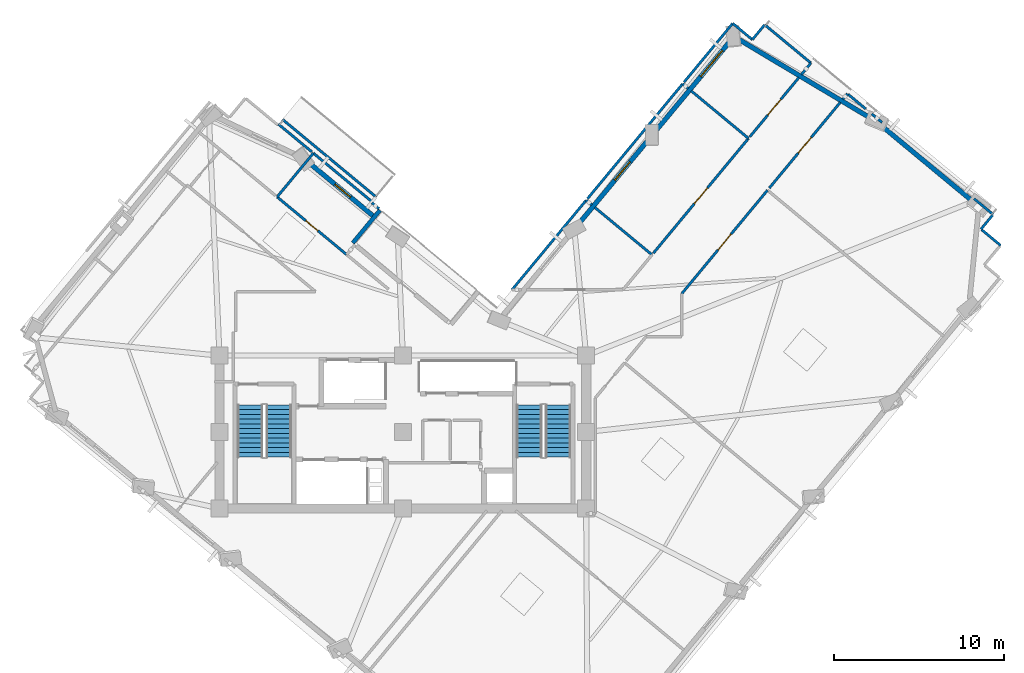
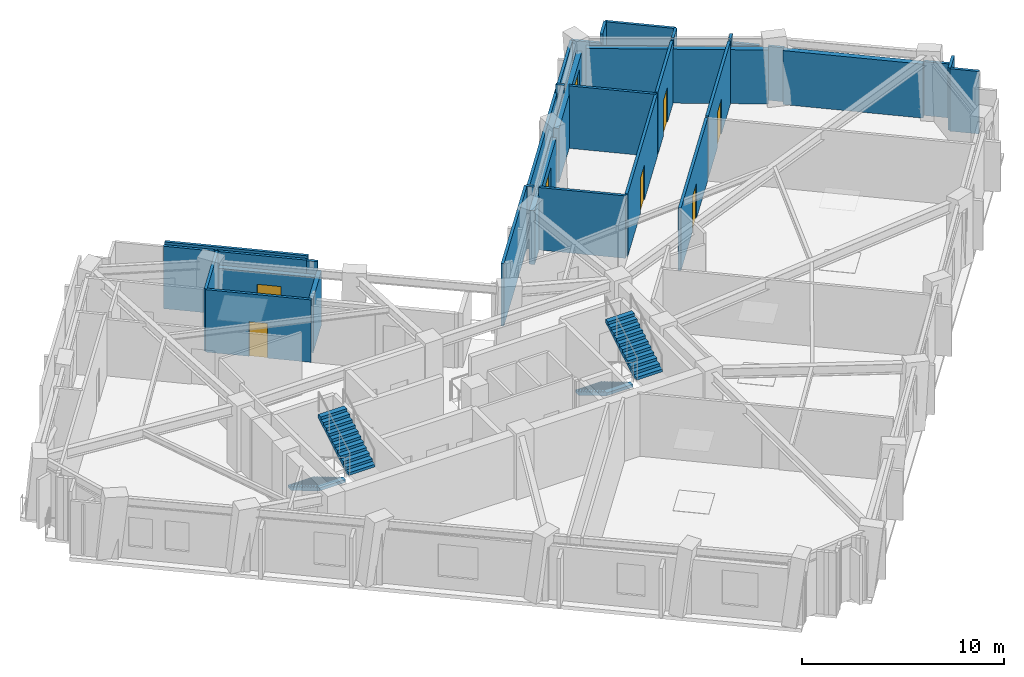
# One storey, part 7 of 10: 33 walls, 5 doors, 4 stair flights, 3 windows, 8 openings, 2 elements without a shape of their own.
"""IFC4 building model written with IfcOpenShell, lengths in metres."""

from ifc_helpers import new_model, si_unit, direction, frame, frame_2d, origin, place, context, subcontext, project, spatial, polyline, rectangle, outline, extrude, material, layer, layer_set, type_object, element, fill, aggregate, save


model = new_model("IFC4")

# Units and contexts
model_context = context("Model", 3, precision=1e-05, world=origin(), true_north=direction((0.0, 1.0)))
body_context = subcontext(model_context, "Body", "Model", "MODEL_VIEW")
ifc_project = project(units=[si_unit("LENGTHUNIT", "METRE"), si_unit("AREAUNIT", "SQUARE_METRE"), si_unit("VOLUMEUNIT", "CUBIC_METRE"), si_unit("PLANEANGLEUNIT", "RADIAN"), si_unit("MASSUNIT", "GRAM", prefix="KILO")], contexts=[model_context])

# Site, building, storey
site_placement = place(None, origin())
site = spatial("IfcSite", under=ifc_project, at=site_placement, CompositionType="ELEMENT")
building_placement = place(site_placement, origin())
building = spatial("IfcBuilding", under=site, at=building_placement, Name="Gaonmaruhae Medical Tower", CompositionType="ELEMENT")
storey_placement = place(building_placement, frame((0.0, 0.0, 239.199951171875)))
storey = spatial("IfcBuildingStorey", under=building, at=storey_placement, Name="L57", CompositionType="ELEMENT", Elevation=239.199951171875)

# Walls
ifc_material_1 = material(Name="Precast concrete C45/55", Category="concrete")
ifc_layer_1 = layer(ifc_material_1, 0.239990234375)
ifc_layer_set_1 = layer_set([ifc_layer_1], Name="Precast concrete C45/55")
wall_type_1 = type_object("IfcWallType", Name="EW-240 Ribbon & Shelter Insulated Precast Wall", PredefinedType="SOLIDWALL", material=ifc_layer_set_1)
wall_1_placement = place(storey_placement, frame((23.449951171875, 25.3671875, 0.0), z_axis=(0.0, 0.0, 1.0), x_axis=(-0.638107200467, -0.769947531142, 0.0)))
element("IfcWall", 1, at=wall_1_placement, inside=storey, type_object=wall_type_1, Name="L57 Recessed Terrace Enclosure Wall TERR", PredefinedType="SOLIDWALL", context=body_context, shape_type="SweptSolid", body=[
    extrude(rectangle(XDim=2.5, YDim=0.239990234375, at=frame_2d((1.25, 0.0))), origin(), (0.0, 0.0, 1.0), 3.26513671875),
])
ifc_layer_2 = layer(ifc_material_1, 0.280029296875)
ifc_layer_set_2 = layer_set([ifc_layer_2], Name="Precast concrete C45/55")
wall_type_2 = type_object("IfcWallType", Name="EW-280 Upper Precast Masonry-Frame Facade Wall", PredefinedType="SOLIDWALL", material=ifc_layer_set_2)
wall_2_placement = place(storey_placement, frame((52.923583984375, 30.410400390625, 0.0), z_axis=(0.0, 0.0, 1.0), x_axis=(0.769945199244, -0.638110014152, 0.0)))
element("IfcWall", 2, at=wall_2_placement, inside=storey, type_object=wall_type_2, Name="L57 Precast Masonry-Frame Wall E01-E02", PredefinedType="SOLIDWALL", context=body_context, shape_type="SweptSolid", body=[
    extrude(rectangle(XDim=7.04638671875, YDim=0.280029296875, at=frame_2d((3.523193359375, 0.0))), origin(), (0.0, 0.0, 1.0), 3.26513671875),
])
wall_3_placement = place(storey_placement, frame((44.54150390625, 35.462890625, 0.0), z_axis=(0.0, 0.0, 1.0), x_axis=(0.858430756312, -0.512929465539, 0.0)))
element("IfcWall", 3, at=wall_3_placement, inside=storey, type_object=wall_type_2, Name="L57 Precast Masonry-Frame Wall E02-E03", PredefinedType="SOLIDWALL", context=body_context, shape_type="SweptSolid", body=[
    extrude(rectangle(XDim=9.036376953125, YDim=0.280029296875, at=frame_2d((4.51806640625, 0.0))), origin(), (0.0, 0.0, 1.0), 3.26513671875),
])

# Wall, opening, window
wall_4_placement = place(storey_placement, frame((39.74609375, 30.1005859375, 0.0), z_axis=(0.0, 0.0, 1.0), x_axis=(0.638113633716, 0.769942199431, 0.0)))
wall_4 = element("IfcWall", 4, at=wall_4_placement, inside=storey, type_object=wall_type_2, Name="L57 Precast Masonry-Frame Wall E03-EN01", PredefinedType="SOLIDWALL", context=body_context, shape_type="SweptSolid", body=[
    extrude(rectangle(XDim=6.780029296875, YDim=0.280029296875, at=frame_2d((3.39013671875, 0.0))), origin(), (0.0, 0.0, 1.0), 3.26513671875),
])
opening_1_placement = place(wall_4_placement, frame((4.085693359375, 0.0, 0.75)))
opening_1 = element("IfcOpeningElement", 5, at=opening_1_placement, cuts=wall_4, Name="Opening WN-02", PredefinedType="OPENING", context=body_context, shape_type="SweptSolid", body=[
    extrude(rectangle(XDim=2.0, YDim=1.949951171875, at=frame_2d((1.0, 0.97509765625))), frame((0.0, 0.14990234375, 0.0), z_axis=(0.0, -1.0, 0.0), x_axis=(1.0, 0.0, 0.0)), (0.0, 0.0, 1.0), 0.300048828125),
])
ifc_material_2 = material(Name="Anodised aluminium and Low-E double glazing", Category="aluminium")
window_type_1 = type_object("IfcWindowType", Name="WN-02 Double-Bed Ward Punched Window 2000x1950", PartitioningType="SINGLE_PANEL", PredefinedType="WINDOW", material=ifc_material_2)
window_1_placement = place(opening_1_placement, origin())
window_1 = element("IfcWindow", 6, at=window_1_placement, inside=storey, type_object=window_type_1, Name="L57 Modular Facade Window E03", OverallHeight=1.949951171875, OverallWidth=2.0, PartitioningType="SINGLE_PANEL", PredefinedType="WINDOW", context=body_context, shape_type="SweptSolid", body=[
    extrude(rectangle(XDim=2.0, YDim=1.949951171875, at=frame_2d((1.0, 0.97509765625))), frame((0.0, 0.030029296875, 0.0), z_axis=(0.0, -1.0, 0.0), x_axis=(1.0, 0.0, 0.0)), (0.0, 0.0, 1.0), 0.06005859375),
])
fill(opening_1, window_1)

wall_5_placement = place(storey_placement, frame((35.155517578125, 24.561279296875, 0.0), z_axis=(0.0, 0.0, 1.0), x_axis=(0.63811013914, 0.769945095657, 0.0)))
wall_5 = element("IfcWall", 7, at=wall_5_placement, inside=storey, type_object=wall_type_2, Name="L57 Precast Masonry-Frame Wall EN01-EN02", PredefinedType="SOLIDWALL", context=body_context, shape_type="SweptSolid", body=[
    extrude(rectangle(XDim=6.409423828125, YDim=0.280029296875, at=frame_2d((3.20458984375, 0.0))), origin(), (0.0, 0.0, 1.0), 3.26513671875),
])
opening_2_placement = place(wall_5_placement, frame((3.347900390625, 0.0, 0.75)))
opening_2 = element("IfcOpeningElement", 8, at=opening_2_placement, cuts=wall_5, Name="Opening WN-03", PredefinedType="OPENING", context=body_context, shape_type="SweptSolid", body=[
    extrude(rectangle(XDim=1.39990234375, YDim=1.85009765625, at=frame_2d((0.699951171875, 0.925048828125))), frame((0.0, 0.14990234375, 0.0), z_axis=(0.0, -1.0, 0.0), x_axis=(1.0, 0.0, 0.0)), (0.0, 0.0, 1.0), 0.300048828125),
])
window_type_2 = type_object("IfcWindowType", Name="WN-03 Isolation Ward Punched Window 1400x1850", PartitioningType="SINGLE_PANEL", PredefinedType="WINDOW", material=ifc_material_2)
window_2_placement = place(opening_2_placement, origin())
window_2 = element("IfcWindow", 9, at=window_2_placement, inside=storey, type_object=window_type_2, Name="L57 Modular Facade Window EN01", OverallHeight=1.85009765625, OverallWidth=1.39990234375, PartitioningType="SINGLE_PANEL", PredefinedType="WINDOW", context=body_context, shape_type="SweptSolid", body=[
    extrude(rectangle(XDim=1.39990234375, YDim=1.85009765625, at=frame_2d((0.699951171875, 0.925048828125))), frame((0.0, 0.030029296875, 0.0), z_axis=(0.0, -1.0, 0.0), x_axis=(1.0, 0.0, 0.0)), (0.0, 0.0, 1.0), 0.06005859375),
])
fill(opening_2, window_2)

wall_6_placement = place(storey_placement, frame((19.28515625, 28.15625, 0.0), z_axis=(0.0, 0.0, 1.0), x_axis=(0.769971186405, -0.638078656677, 0.0)))
wall_6 = element("IfcWall", 10, at=wall_6_placement, inside=storey, type_object=wall_type_2, Name="L57 Precast Masonry-Frame Wall NE01-NE02", PredefinedType="SOLIDWALL", context=body_context, shape_type="SweptSolid", body=[
    extrude(rectangle(XDim=4.96630859375, YDim=0.280029296875, at=frame_2d((2.483154296875, 0.0))), origin(), (0.0, 0.0, 1.0), 3.2451171875),
])
opening_3_placement = place(wall_6_placement, frame((1.962646484375, 0.0, 0.75)))
opening_3 = element("IfcOpeningElement", 11, at=opening_3_placement, cuts=wall_6, Name="Opening WN-05", PredefinedType="OPENING", context=body_context, shape_type="SweptSolid", body=[
    extrude(rectangle(XDim=1.199951171875, YDim=1.75, at=frame_2d((0.60009765625, 0.875))), frame((0.0, 0.14990234375, 0.0), z_axis=(0.0, -1.0, 0.0), x_axis=(1.0, 0.0, 0.0)), (0.0, 0.0, 1.0), 0.300048828125),
])
window_type_3 = type_object("IfcWindowType", Name="WN-05 Support & Staff Punched Window 1200x1750", PartitioningType="SINGLE_PANEL", PredefinedType="WINDOW", material=ifc_material_2)
window_3_placement = place(opening_3_placement, origin())
window_3 = element("IfcWindow", 12, at=window_3_placement, inside=storey, type_object=window_type_3, Name="L57 Modular Facade Window NE01", OverallHeight=1.75, OverallWidth=1.199951171875, PartitioningType="SINGLE_PANEL", PredefinedType="WINDOW", context=body_context, shape_type="SweptSolid", body=[
    extrude(rectangle(XDim=1.199951171875, YDim=1.75, at=frame_2d((0.60009765625, 0.875))), frame((0.0, 0.030029296875, 0.0), z_axis=(0.0, -1.0, 0.0), x_axis=(1.0, 0.0, 0.0)), (0.0, 0.0, 1.0), 0.06005859375),
])
fill(opening_3, window_3)

# Wall, opening, door
ifc_material_3 = material(Name="Gypsum board partition", Category="gypsum")
ifc_layer_3 = layer(ifc_material_3, 0.14990234375)
ifc_layer_set_3 = layer_set([ifc_layer_3], Name="Gypsum board partition")
wall_type_3 = type_object("IfcWallType", Name="PW-150 Rated Clinical Corridor Partition", PredefinedType="PARTITIONING", material=ifc_layer_set_3)
wall_7_placement = place(storey_placement, frame((41.22998046875, 20.450927734375, 0.0), z_axis=(0.0, 0.0, 1.0), x_axis=(0.638108201762, 0.769946701301, 0.0)))
wall_7 = element("IfcWall", 13, at=wall_7_placement, inside=storey, type_object=wall_type_3, Name="L57 Interior Partition L57-SUP03-24", PredefinedType="PARTITIONING", context=body_context, shape_type="SweptSolid", body=[
    extrude(rectangle(XDim=7.920166015625, YDim=0.14990234375, at=frame_2d((3.9599609375, 0.0))), origin(), (0.0, 0.0, 1.0), 3.780029296875),
])
opening_4_placement = place(wall_7_placement, frame((3.360107421875, 0.0, 0.0)))
opening_4 = element("IfcOpeningElement", 14, at=opening_4_placement, cuts=wall_7, Name="Opening CD-02", PredefinedType="OPENING", context=body_context, shape_type="SweptSolid", body=[
    extrude(rectangle(XDim=1.199951171875, YDim=2.14990234375, at=frame_2d((0.60009765625, 1.074951171875))), frame((0.0, 0.0849609375, 0.0), z_axis=(0.0, -1.0, 0.0), x_axis=(1.0, 0.0, 0.0)), (0.0, 0.0, 1.0), 0.169921875),
])
ifc_material_4 = material(Name="Antimicrobial laminate timber fire door", Category="wood")
door_type_1 = type_object("IfcDoorType", Name="CD-02 Clinical Treatment & Procedure Door 1200x2150", OperationType="NOTDEFINED", PredefinedType="DOOR", material=ifc_material_4)
door_1_placement = place(opening_4_placement, origin())
door_1 = element("IfcDoor", 15, at=door_1_placement, inside=storey, type_object=door_type_1, Name="L57 Clinical Biomedical Charting Office Door", OperationType="SINGLE_SWING_LEFT", OverallHeight=2.14990234375, OverallWidth=1.199951171875, PredefinedType="DOOR", context=body_context, shape_type="SweptSolid", body=[
    extrude(rectangle(XDim=1.199951171875, YDim=2.14990234375, at=frame_2d((0.60009765625, 1.074951171875))), frame((0.0, 0.02490234375, 0.0), z_axis=(0.0, -1.0, 0.0), x_axis=(1.0, 0.0, 0.0)), (0.0, 0.0, 1.0), 0.050048828125),
])
fill(opening_4, door_1)

wall_8_placement = place(storey_placement, frame((46.385986328125, 26.672119140625, 0.0), z_axis=(0.0, 0.0, 1.0), x_axis=(0.638041184216, 0.770002238467, 0.0)))
wall_8 = element("IfcWall", 16, at=wall_8_placement, inside=storey, type_object=wall_type_3, Name="L57 Interior Partition L57-SUP04-31", PredefinedType="PARTITIONING", context=body_context, shape_type="SweptSolid", body=[
    extrude(rectangle(XDim=6.562255859375, YDim=0.14990234375, at=frame_2d((3.28125, 0.0))), origin(), (0.0, 0.0, 1.0), 3.780029296875),
])
opening_5_placement = place(wall_8_placement, frame((2.68115234375, 0.0, 0.0)))
opening_5 = element("IfcOpeningElement", 17, at=opening_5_placement, cuts=wall_8, Name="Opening CD-02", PredefinedType="OPENING", context=body_context, shape_type="SweptSolid", body=[
    extrude(rectangle(XDim=1.199951171875, YDim=2.14990234375, at=frame_2d((0.60009765625, 1.074951171875))), frame((0.0, 0.0849609375, 0.0), z_axis=(0.0, -1.0, 0.0), x_axis=(1.0, 0.0, 0.0)), (0.0, 0.0, 1.0), 0.169921875),
])
door_2_placement = place(opening_5_placement, origin())
door_2 = element("IfcDoor", 18, at=door_2_placement, inside=storey, type_object=door_type_1, Name="L57 Clinical Biomedical Charting Office Door", OperationType="SINGLE_SWING_LEFT", OverallHeight=2.14990234375, OverallWidth=1.199951171875, PredefinedType="DOOR", context=body_context, shape_type="SweptSolid", body=[
    extrude(rectangle(XDim=1.199951171875, YDim=2.14990234375, at=frame_2d((0.60009765625, 1.074951171875))), frame((0.0, 0.02490234375, 0.0), z_axis=(0.0, -1.0, 0.0), x_axis=(1.0, 0.0, 0.0)), (0.0, 0.0, 1.0), 0.050048828125),
])
fill(opening_5, door_2)

# Walls
wall_9_placement = place(storey_placement, frame((50.721923828125, 31.904052734375, 0.0), z_axis=(0.0, 0.0, 1.0), x_axis=(0.638202912534, 0.769868198092, 0.0)))
element("IfcWall", 19, at=wall_9_placement, inside=storey, type_object=wall_type_3, Name="L57 Interior Partition L57-SUP04-32", PredefinedType="PARTITIONING", context=body_context, shape_type="SweptSolid", body=[
    extrude(rectangle(XDim=0.424560546875, YDim=0.14990234375, at=frame_2d((0.21240234375, 0.0))), origin(), (0.0, 0.0, 1.0), 3.780029296875),
])
wall_10_placement = place(storey_placement, frame((51.031005859375, 32.198974609375, 0.0), z_axis=(0.0, 0.0, 1.0), x_axis=(0.770372960618, -0.637593523767, 0.0)))
element("IfcWall", 20, at=wall_10_placement, inside=storey, type_object=wall_type_3, Name="L57 Interior Partition L57-SUP04-33", PredefinedType="PARTITIONING", context=body_context, shape_type="SweptSolid", body=[
    extrude(rectangle(XDim=1.355224609375, YDim=0.14990234375, at=frame_2d((0.677734375, 0.0))), origin(), (0.0, 0.0, 1.0), 3.26513671875),
])
wall_11_placement = place(storey_placement, frame((52.427001953125, 31.04296875, 0.0), z_axis=(0.0, 0.0, 1.0), x_axis=(0.769594165674, -0.6385333352, 0.0)))
element("IfcWall", 21, at=wall_11_placement, inside=storey, type_object=wall_type_3, Name="L57 Interior Partition L57-SUP04-34", PredefinedType="PARTITIONING", context=body_context, shape_type="SweptSolid", body=[
    extrude(rectangle(XDim=0.7861328125, YDim=0.14990234375, at=frame_2d((0.39306640625, 0.0))), origin(), (0.0, 0.0, 1.0), 3.26513671875),
])
wall_12_placement = place(storey_placement, frame((58.45703125, 26.044921875, 0.0), z_axis=(0.0, 0.0, 1.0), x_axis=(0.769936808354, -0.638120138486, 0.0)))
element("IfcWall", 22, at=wall_12_placement, inside=storey, type_object=wall_type_3, Name="L57 Interior Partition L57-SUP04-35", PredefinedType="PARTITIONING", context=body_context, shape_type="SweptSolid", body=[
    extrude(rectangle(XDim=1.455810546875, YDim=0.14990234375, at=frame_2d((0.72802734375, 0.0))), origin(), (0.0, 0.0, 1.0), 3.26513671875),
])
wall_13_placement = place(storey_placement, frame((59.5458984375, 25.077880859375, 0.0), z_axis=(0.0, 0.0, 1.0), x_axis=(-0.638095158192, -0.769957511225, 0.0)))
element("IfcWall", 23, at=wall_13_placement, inside=storey, type_object=wall_type_3, Name="L57 Interior Partition L57-SUP04-36", PredefinedType="PARTITIONING", context=body_context, shape_type="SweptSolid", body=[
    extrude(rectangle(XDim=1.070068359375, YDim=0.14990234375, at=frame_2d((0.53515625, 0.0))), origin(), (0.0, 0.0, 1.0), 3.780029296875),
])
wall_14_placement = place(storey_placement, frame((58.902099609375, 24.221923828125, 0.0), z_axis=(0.0, 0.0, 1.0), x_axis=(0.769971904986, -0.638077789562, 0.0)))
element("IfcWall", 24, at=wall_14_placement, inside=storey, type_object=wall_type_3, Name="L57 Interior Partition L57-SUP04-37", PredefinedType="PARTITIONING", context=body_context, shape_type="SweptSolid", body=[
    extrude(rectangle(XDim=1.449462890625, YDim=0.14990234375, at=frame_2d((0.724609375, 0.0))), origin(), (0.0, 0.0, 1.0), 3.780029296875),
])
wall_15_placement = place(storey_placement, frame((35.59912109375, 25.958984375, 0.0), z_axis=(0.0, 0.0, 1.0), x_axis=(0.76941508452, -0.638749111712, 0.0)))
element("IfcWall", 25, at=wall_15_placement, inside=storey, type_object=wall_type_3, Name="L57 Interior Partition L57-IE01-55", PredefinedType="PARTITIONING", context=body_context, shape_type="SweptSolid", body=[
    extrude(rectangle(XDim=0.435302734375, YDim=0.14990234375, at=frame_2d((0.2177734375, 0.0))), origin(), (0.0, 0.0, 1.0), 3.780029296875),
])
wall_16_placement = place(storey_placement, frame((36.111083984375, 25.533935546875, 0.0), z_axis=(0.0, 0.0, 1.0), x_axis=(0.770061509293, -0.637969648107, 0.0)))
element("IfcWall", 26, at=wall_16_placement, inside=storey, type_object=wall_type_3, Name="L57 Interior Partition L57-IE01-56", PredefinedType="PARTITIONING", context=body_context, shape_type="SweptSolid", body=[
    extrude(rectangle(XDim=4.374755859375, YDim=0.14990234375, at=frame_2d((2.1875, 0.0))), origin(), (0.0, 0.0, 1.0), 3.780029296875),
])
wall_17_placement = place(storey_placement, frame((31.22509765625, 20.679931640625, 0.0), z_axis=(0.0, 0.0, 1.0), x_axis=(0.638013641706, 0.77002505998, 0.0)))
element("IfcWall", 27, at=wall_17_placement, inside=storey, type_object=wall_type_3, Name="L57 Interior Partition L57-IE01-60", PredefinedType="PARTITIONING", context=body_context, shape_type="SweptSolid", body=[
    extrude(rectangle(XDim=6.855712890625, YDim=0.14990234375, at=frame_2d((3.427734375, 0.0))), origin(), (0.0, 0.0, 1.0), 3.780029296875),
])

# Wall, opening, door
wall_18_placement = place(storey_placement, frame((45.1640625, 29.60205078125, 0.0), z_axis=(0.0, 0.0, 1.0), x_axis=(-0.638028689029, -0.770012592089, 0.0)))
wall_18 = element("IfcWall", 28, at=wall_18_placement, inside=storey, type_object=wall_type_3, Name="L57 Interior Partition L57-IE02-61", PredefinedType="PARTITIONING", context=body_context, shape_type="SweptSolid", body=[
    extrude(rectangle(XDim=8.788330078125, YDim=0.14990234375, at=frame_2d((4.39404296875, 0.0))), origin(), (0.0, 0.0, 1.0), 3.780029296875),
])
opening_6_placement = place(wall_18_placement, frame((3.794189453125, 0.0, 0.0)))
opening_6 = element("IfcOpeningElement", 29, at=opening_6_placement, cuts=wall_18, Name="Opening CD-02", PredefinedType="OPENING", context=body_context, shape_type="SweptSolid", body=[
    extrude(rectangle(XDim=1.199951171875, YDim=2.14990234375, at=frame_2d((0.60009765625, 1.074951171875))), frame((0.0, 0.0849609375, 0.0), z_axis=(0.0, -1.0, 0.0), x_axis=(1.0, 0.0, 0.0)), (0.0, 0.0, 1.0), 0.169921875),
])
door_3_placement = place(opening_6_placement, origin())
door_3 = element("IfcDoor", 30, at=door_3_placement, inside=storey, type_object=door_type_1, Name="L57 Acute Treatment Examination Room Door", OperationType="SINGLE_SWING_RIGHT", OverallHeight=2.14990234375, OverallWidth=1.199951171875, PredefinedType="DOOR", context=body_context, shape_type="SweptSolid", body=[
    extrude(rectangle(XDim=1.199951171875, YDim=2.14990234375, at=frame_2d((0.60009765625, 1.074951171875))), frame((0.0, 0.02490234375, 0.0), z_axis=(0.0, -1.0, 0.0), x_axis=(1.0, 0.0, 0.0)), (0.0, 0.0, 1.0), 0.050048828125),
])
fill(opening_6, door_3)

# Walls
wall_19_placement = place(storey_placement, frame((35.676025390625, 26.051025390625, 0.0), z_axis=(0.0, 0.0, 1.0), x_axis=(0.638078099411, 0.769971648213, 0.0)))
element("IfcWall", 31, at=wall_19_placement, inside=storey, type_object=wall_type_3, Name="L57 Interior Partition L57-IE02-62", PredefinedType="PARTITIONING", context=body_context, shape_type="SweptSolid", body=[
    extrude(rectangle(XDim=8.788818359375, YDim=0.14990234375, at=frame_2d((4.39453125, 0.0))), origin(), (0.0, 0.0, 1.0), 3.26513671875),
])
wall_20_placement = place(storey_placement, frame((41.283935546875, 32.818115234375, 0.0), z_axis=(0.0, 0.0, 1.0), x_axis=(0.76941508452, -0.638749111712, 0.0)))
element("IfcWall", 32, at=wall_20_placement, inside=storey, type_object=wall_type_3, Name="L57 Interior Partition L57-IE02-63", PredefinedType="PARTITIONING", context=body_context, shape_type="SweptSolid", body=[
    extrude(rectangle(XDim=0.435302734375, YDim=0.14990234375, at=frame_2d((0.2177734375, 0.0))), origin(), (0.0, 0.0, 1.0), 3.780029296875),
])
wall_21_placement = place(storey_placement, frame((41.7958984375, 32.39404296875, 0.0), z_axis=(0.0, 0.0, 1.0), x_axis=(0.769883678484, -0.638184237978, 0.0)))
element("IfcWall", 33, at=wall_21_placement, inside=storey, type_object=wall_type_3, Name="L57 Interior Partition L57-IE02-64", PredefinedType="PARTITIONING", context=body_context, shape_type="SweptSolid", body=[
    extrude(rectangle(XDim=4.375, YDim=0.14990234375, at=frame_2d((2.1875, 0.0))), origin(), (0.0, 0.0, 1.0), 3.780029296875),
])
wall_22_placement = place(storey_placement, frame((45.388916015625, 35.4208984375, 0.0), z_axis=(0.0, 0.0, 1.0), x_axis=(0.638137652761, 0.769922292267, 0.0)))
element("IfcWall", 34, at=wall_22_placement, inside=storey, type_object=wall_type_3, Name="L57 Interior Partition L57-IE03-65", PredefinedType="PARTITIONING", context=body_context, shape_type="SweptSolid", body=[
    extrude(rectangle(XDim=1.139404296875, YDim=0.14990234375, at=frame_2d((0.56982421875, 0.0))), origin(), (0.0, 0.0, 1.0), 3.780029296875),
])
wall_23_placement = place(storey_placement, frame((46.115966796875, 36.298095703125, 0.0), z_axis=(0.0, 0.0, 1.0), x_axis=(0.770117395611, -0.63790218449, 0.0)))
element("IfcWall", 35, at=wall_23_placement, inside=storey, type_object=wall_type_3, Name="L57 Interior Partition L57-IE03-66", PredefinedType="PARTITIONING", context=body_context, shape_type="SweptSolid", body=[
    extrude(rectangle(XDim=3.539794921875, YDim=0.14990234375, at=frame_2d((1.77001953125, 0.0))), origin(), (0.0, 0.0, 1.0), 3.780029296875),
])
wall_24_placement = place(storey_placement, frame((48.842041015625, 34.0400390625, 0.0), z_axis=(0.0, 0.0, 1.0), x_axis=(-0.638079014013, -0.769970890278, 0.0)))
element("IfcWall", 36, at=wall_24_placement, inside=storey, type_object=wall_type_3, Name="L57 Interior Partition L57-IE03-67", PredefinedType="PARTITIONING", context=body_context, shape_type="SweptSolid", body=[
    extrude(rectangle(XDim=0.879150390625, YDim=0.14990234375, at=frame_2d((0.439453125, 0.0))), origin(), (0.0, 0.0, 1.0), 3.780029296875),
])

# Wall, opening, door
wall_25_placement = place(storey_placement, frame((48.132080078125, 33.18310546875, 0.0), z_axis=(0.0, 0.0, 1.0), x_axis=(-0.638046160412, -0.769998115052, 0.0)))
wall_25 = element("IfcWall", 37, at=wall_25_placement, inside=storey, type_object=wall_type_3, Name="L57 Interior Partition L57-IE03-68", PredefinedType="PARTITIONING", context=body_context, shape_type="SweptSolid", body=[
    extrude(rectangle(XDim=4.53125, YDim=0.14990234375, at=frame_2d((2.265625, 0.0))), origin(), (0.0, 0.0, 1.0), 3.780029296875),
])
opening_7_placement = place(wall_25_placement, frame((1.66552734375, 0.0, 0.0)))
opening_7 = element("IfcOpeningElement", 38, at=opening_7_placement, cuts=wall_25, Name="Opening CD-02", PredefinedType="OPENING", context=body_context, shape_type="SweptSolid", body=[
    extrude(rectangle(XDim=1.199951171875, YDim=2.14990234375, at=frame_2d((0.60009765625, 1.074951171875))), frame((0.0, 0.0849609375, 0.0), z_axis=(0.0, -1.0, 0.0), x_axis=(1.0, 0.0, 0.0)), (0.0, 0.0, 1.0), 0.169921875),
])
door_4_placement = place(opening_7_placement, origin())
door_4 = element("IfcDoor", 39, at=door_4_placement, inside=storey, type_object=door_type_1, Name="L57 Clean Medication Preparation Room Door", OperationType="SINGLE_SWING_RIGHT", OverallHeight=2.14990234375, OverallWidth=1.199951171875, PredefinedType="DOOR", context=body_context, shape_type="SweptSolid", body=[
    extrude(rectangle(XDim=1.199951171875, YDim=2.14990234375, at=frame_2d((0.60009765625, 1.074951171875))), frame((0.0, 0.02490234375, 0.0), z_axis=(0.0, -1.0, 0.0), x_axis=(1.0, 0.0, 0.0)), (0.0, 0.0, 1.0), 0.050048828125),
])
fill(opening_7, door_4)

# Walls
wall_26_placement = place(storey_placement, frame((41.360107421875, 32.909912109375, 0.0), z_axis=(0.0, 0.0, 1.0), x_axis=(0.638054595823, 0.76999112511, 0.0)))
element("IfcWall", 40, at=wall_26_placement, inside=storey, type_object=wall_type_3, Name="L57 Interior Partition L57-IE03-69", PredefinedType="PARTITIONING", context=body_context, shape_type="SweptSolid", body=[
    extrude(rectangle(XDim=4.50390625, YDim=0.14990234375, at=frame_2d((2.251953125, 0.0))), origin(), (0.0, 0.0, 1.0), 3.26513671875),
])
wall_27_placement = place(storey_placement, frame((44.23388671875, 36.3779296875, 0.0), z_axis=(0.0, 0.0, 1.0), x_axis=(0.770019276268, -0.638020622061, 0.0)))
element("IfcWall", 41, at=wall_27_placement, inside=storey, type_object=wall_type_3, Name="L57 Interior Partition L57-IE03-70", PredefinedType="PARTITIONING", context=body_context, shape_type="SweptSolid", body=[
    extrude(rectangle(XDim=1.5, YDim=0.14990234375, at=frame_2d((0.75, 0.0))), origin(), (0.0, 0.0, 1.0), 3.26513671875),
])
wall_28_placement = place(storey_placement, frame((17.39404296875, 26.152099609375, 0.0), z_axis=(0.0, 0.0, 1.0), x_axis=(0.638225268777, 0.769849664736, 0.0)))
element("IfcWall", 42, at=wall_28_placement, inside=storey, type_object=wall_type_3, Name="L57 Interior Partition L57-IN02-71", PredefinedType="PARTITIONING", context=body_context, shape_type="SweptSolid", body=[
    extrude(rectangle(XDim=3.349853515625, YDim=0.14990234375, at=frame_2d((1.6748046875, 0.0))), origin(), (0.0, 0.0, 1.0), 3.780029296875),
])
wall_29_placement = place(storey_placement, frame((19.531982421875, 28.73095703125, 0.0), z_axis=(0.0, 0.0, 1.0), x_axis=(0.770005650355, -0.638037066651, 0.0)))
element("IfcWall", 43, at=wall_29_placement, inside=storey, type_object=wall_type_3, Name="L57 Interior Partition L57-IN02-72", PredefinedType="PARTITIONING", context=body_context, shape_type="SweptSolid", body=[
    extrude(rectangle(XDim=4.523193359375, YDim=0.14990234375, at=frame_2d((2.26171875, 0.0))), origin(), (0.0, 0.0, 1.0), 3.780029296875),
])
wall_30_placement = place(storey_placement, frame((22.98291015625, 25.805908203125, 0.0), z_axis=(0.0, 0.0, 1.0), x_axis=(0.769990590964, -0.63805524042, 0.0)))
element("IfcWall", 44, at=wall_30_placement, inside=storey, type_object=wall_type_3, Name="L57 Interior Partition L57-IN02-73", PredefinedType="PARTITIONING", context=body_context, shape_type="SweptSolid", body=[
    extrude(rectangle(XDim=0.55322265625, YDim=0.14990234375, at=frame_2d((0.276611328125, 0.0))), origin(), (0.0, 0.0, 1.0), 3.780029296875),
])

# Wall, opening, door
wall_31_placement = place(storey_placement, frame((21.492919921875, 22.7548828125, 0.0), z_axis=(0.0, 0.0, 1.0), x_axis=(-0.769928857857, 0.638129731198, 0.0)))
wall_31 = element("IfcWall", 45, at=wall_31_placement, inside=storey, type_object=wall_type_3, Name="L57 Interior Partition L57-IN02-75", PredefinedType="PARTITIONING", context=body_context, shape_type="SweptSolid", body=[
    extrude(rectangle(XDim=5.32373046875, YDim=0.14990234375, at=frame_2d((2.661865234375, 0.0))), origin(), (0.0, 0.0, 1.0), 3.780029296875),
])
opening_8_placement = place(wall_31_placement, frame((2.201904296875, 0.0, 0.0)))
opening_8 = element("IfcOpeningElement", 46, at=opening_8_placement, cuts=wall_31, Name="Opening UD-01", PredefinedType="OPENING", context=body_context, shape_type="SweptSolid", body=[
    extrude(rectangle(XDim=0.919921875, YDim=2.10009765625, at=frame_2d((0.4599609375, 1.050048828125))), frame((0.0, 0.0849609375, 0.0), z_axis=(0.0, -1.0, 0.0), x_axis=(1.0, 0.0, 0.0)), (0.0, 0.0, 1.0), 0.169921875),
])
ifc_material_5 = material(Name="Powder-coated steel utility door", Category="steel")
door_type_2 = type_object("IfcDoorType", Name="UD-01 Toilet, Utility & Housekeeping Door 920x2100", OperationType="NOTDEFINED", PredefinedType="DOOR", material=ifc_material_5)
door_5_placement = place(opening_8_placement, origin())
door_5 = element("IfcDoor", 47, at=door_5_placement, inside=storey, type_object=door_type_2, Name="L57 Ward Nutrition Pantry Door", OperationType="SINGLE_SWING_LEFT", OverallHeight=2.10009765625, OverallWidth=0.919921875, PredefinedType="DOOR", context=body_context, shape_type="SweptSolid", body=[
    extrude(rectangle(XDim=0.919921875, YDim=2.10009765625, at=frame_2d((0.4599609375, 1.050048828125))), frame((0.0, 0.02490234375, 0.0), z_axis=(0.0, -1.0, 0.0), x_axis=(1.0, 0.0, 0.0)), (0.0, 0.0, 1.0), 0.050048828125),
])
fill(opening_8, door_5)

# Walls
wall_32_placement = place(storey_placement, frame((17.470947265625, 30.43896484375, 0.0), z_axis=(0.0, 0.0, 1.0), x_axis=(0.770135481585, -0.637880349285, 0.0)))
element("IfcWall", 48, at=wall_32_placement, inside=storey, type_object=wall_type_3, Name="L57 Interior Partition L57-IN03-81", PredefinedType="PARTITIONING", context=body_context, shape_type="SweptSolid", body=[
    extrude(rectangle(XDim=2.556640625, YDim=0.14990234375, at=frame_2d((1.2783203125, 0.0))), origin(), (0.0, 0.0, 1.0), 3.780029296875),
])
wall_33_placement = place(storey_placement, frame((17.70703125, 30.72412109375, 0.0), z_axis=(0.0, 0.0, 1.0), x_axis=(0.769974915314, -0.638074156966, 0.0)))
element("IfcWall", 49, at=wall_33_placement, inside=storey, type_object=wall_type_3, Name="L57 Interior Partition L57-RM03-87", PredefinedType="PARTITIONING", context=body_context, shape_type="SweptSolid", body=[
    extrude(rectangle(XDim=7.2001953125, YDim=0.14990234375, at=frame_2d((3.60009765625, 0.0))), origin(), (0.0, 0.0, 1.0), 3.780029296875),
])

# Stair, stair flights
ifc_material_6 = material(Name="Concrete C40/50", Category="concrete")
stair_type = type_object("IfcStairType", Name="ST-T1 Primary Core Escape Dogleg Stair", PredefinedType="TWO_QUARTER_TURN_STAIR", material=ifc_material_6)
stair_1_placement = place(storey_placement, origin())
stair_1 = element("IfcStair", 50, at=stair_1_placement, inside=storey, type_object=stair_type, Name="L57 Protected Escape Stair ST-01", PredefinedType="TWO_QUARTER_TURN_STAIR")
stair_flight_type = type_object("IfcStairFlightType", Name="SF-T1 Primary Core Precast Stair Flight", PredefinedType="STRAIGHT", material=ifc_material_6)
stair_flight_1_placement = place(storey_placement, frame((15.800048828125, 13.89990234375, 0.0), z_axis=(0.0, 0.0, 1.0), x_axis=(0.0, -1.0, 0.0)))
stair_flight_1 = element("IfcStairFlight", 51, at=stair_flight_1_placement, type_object=stair_flight_type, Name="ST-01 flight 1", NumberOfRisers=12, NumberOfTreads=11, PredefinedType="STRAIGHT", RiserHeight=0.166666667, TreadLength=0.28, context=body_context, shape_type="SweptSolid", body=[
    extrude(outline(polyline([(0.0, 0.0), (0.0, 0.166748046875), (0.280029296875, 0.166748046875), (0.280029296875, 0.333251953125), (0.56005859375, 0.333251953125), (0.56005859375, 0.5), (0.840087890625, 0.5), (0.840087890625, 0.666748046875), (1.1201171875, 0.666748046875), (1.1201171875, 0.833251953125), (1.39990234375, 0.833251953125), (1.39990234375, 1.0), (1.679931640625, 1.0), (1.679931640625, 1.166748046875), (1.9599609375, 1.166748046875), (1.9599609375, 1.333251953125), (2.239990234375, 1.333251953125), (2.239990234375, 1.5), (2.52001953125, 1.5), (2.52001953125, 1.666748046875), (2.800048828125, 1.666748046875), (2.800048828125, 1.833251953125), (3.080078125, 1.833251953125), (3.080078125, 2.0), (3.080078125, 1.658935546875), (0.29296875, 0.0), (0.0, 0.0)])), frame((0.0, 0.75, 0.0), z_axis=(0.0, -1.0, 0.0), x_axis=(1.0, 0.0, 0.0)), (0.0, 0.0, 1.0), 1.5),
])
stair_flight_2_placement = place(storey_placement, frame((17.5, 10.820068359375, 2.0), z_axis=(0.0, 0.0, 1.0), x_axis=(0.0, 1.0, 0.0)))
stair_flight_2 = element("IfcStairFlight", 52, at=stair_flight_2_placement, type_object=stair_flight_type, Name="ST-01 flight 2", NumberOfRisers=12, NumberOfTreads=11, PredefinedType="STRAIGHT", RiserHeight=0.166666667, TreadLength=0.28, context=body_context, shape_type="SweptSolid", body=[
    extrude(outline(polyline([(0.0, 0.0), (0.0, 0.166748046875), (0.280029296875, 0.166748046875), (0.280029296875, 0.333251953125), (0.56005859375, 0.333251953125), (0.56005859375, 0.5), (0.840087890625, 0.5), (0.840087890625, 0.666748046875), (1.1201171875, 0.666748046875), (1.1201171875, 0.833251953125), (1.39990234375, 0.833251953125), (1.39990234375, 1.0), (1.679931640625, 1.0), (1.679931640625, 1.166748046875), (1.9599609375, 1.166748046875), (1.9599609375, 1.333251953125), (2.239990234375, 1.333251953125), (2.239990234375, 1.5), (2.52001953125, 1.5), (2.52001953125, 1.666748046875), (2.800048828125, 1.666748046875), (2.800048828125, 1.833251953125), (3.080078125, 1.833251953125), (3.080078125, 2.0), (3.080078125, 1.658935546875), (0.29296875, 0.0), (0.0, 0.0)])), frame((0.0, 0.75, 0.0), z_axis=(0.0, -1.0, 0.0), x_axis=(1.0, 0.0, 0.0)), (0.0, 0.0, 1.0), 1.5),
])
aggregate(stair_1, [stair_flight_1, stair_flight_2])

stair_2_placement = place(storey_placement, origin())
stair_2 = element("IfcStair", 53, at=stair_2_placement, inside=storey, type_object=stair_type, Name="L57 Protected Escape Stair ST-02", PredefinedType="TWO_QUARTER_TURN_STAIR")
stair_flight_3_placement = place(storey_placement, frame((32.25, 13.89990234375, 0.0), z_axis=(0.0, 0.0, 1.0), x_axis=(0.0, -1.0, 0.0)))
stair_flight_3 = element("IfcStairFlight", 54, at=stair_flight_3_placement, type_object=stair_flight_type, Name="ST-02 flight 1", NumberOfRisers=12, NumberOfTreads=11, PredefinedType="STRAIGHT", RiserHeight=0.166666667, TreadLength=0.28, context=body_context, shape_type="SweptSolid", body=[
    extrude(outline(polyline([(0.0, 0.0), (0.0, 0.166748046875), (0.280029296875, 0.166748046875), (0.280029296875, 0.333251953125), (0.56005859375, 0.333251953125), (0.56005859375, 0.5), (0.840087890625, 0.5), (0.840087890625, 0.666748046875), (1.1201171875, 0.666748046875), (1.1201171875, 0.833251953125), (1.39990234375, 0.833251953125), (1.39990234375, 1.0), (1.679931640625, 1.0), (1.679931640625, 1.166748046875), (1.9599609375, 1.166748046875), (1.9599609375, 1.333251953125), (2.239990234375, 1.333251953125), (2.239990234375, 1.5), (2.52001953125, 1.5), (2.52001953125, 1.666748046875), (2.800048828125, 1.666748046875), (2.800048828125, 1.833251953125), (3.080078125, 1.833251953125), (3.080078125, 2.0), (3.080078125, 1.658935546875), (0.29296875, 0.0), (0.0, 0.0)])), frame((0.0, 0.75, 0.0), z_axis=(0.0, -1.0, 0.0), x_axis=(1.0, 0.0, 0.0)), (0.0, 0.0, 1.0), 1.5),
])
stair_flight_4_placement = place(storey_placement, frame((33.949951171875, 10.820068359375, 2.0), z_axis=(0.0, 0.0, 1.0), x_axis=(0.0, 1.0, 0.0)))
stair_flight_4 = element("IfcStairFlight", 55, at=stair_flight_4_placement, type_object=stair_flight_type, Name="ST-02 flight 2", NumberOfRisers=12, NumberOfTreads=11, PredefinedType="STRAIGHT", RiserHeight=0.166666667, TreadLength=0.28, context=body_context, shape_type="SweptSolid", body=[
    extrude(outline(polyline([(0.0, 0.0), (0.0, 0.166748046875), (0.280029296875, 0.166748046875), (0.280029296875, 0.333251953125), (0.56005859375, 0.333251953125), (0.56005859375, 0.5), (0.840087890625, 0.5), (0.840087890625, 0.666748046875), (1.1201171875, 0.666748046875), (1.1201171875, 0.833251953125), (1.39990234375, 0.833251953125), (1.39990234375, 1.0), (1.679931640625, 1.0), (1.679931640625, 1.166748046875), (1.9599609375, 1.166748046875), (1.9599609375, 1.333251953125), (2.239990234375, 1.333251953125), (2.239990234375, 1.5), (2.52001953125, 1.5), (2.52001953125, 1.666748046875), (2.800048828125, 1.666748046875), (2.800048828125, 1.833251953125), (3.080078125, 1.833251953125), (3.080078125, 2.0), (3.080078125, 1.658935546875), (0.29296875, 0.0), (0.0, 0.0)])), frame((0.0, 0.75, 0.0), z_axis=(0.0, -1.0, 0.0), x_axis=(1.0, 0.0, 0.0)), (0.0, 0.0, 1.0), 1.5),
])
aggregate(stair_2, [stair_flight_3, stair_flight_4])

save(model, "model.ifc")
